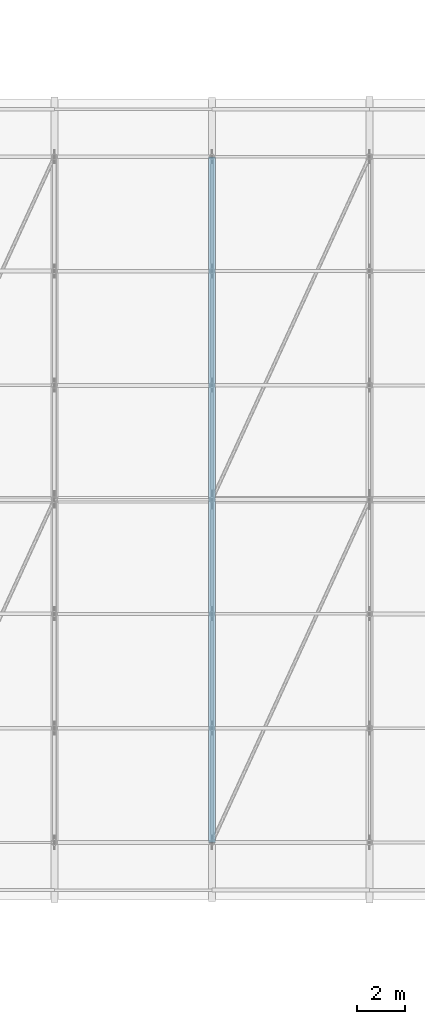
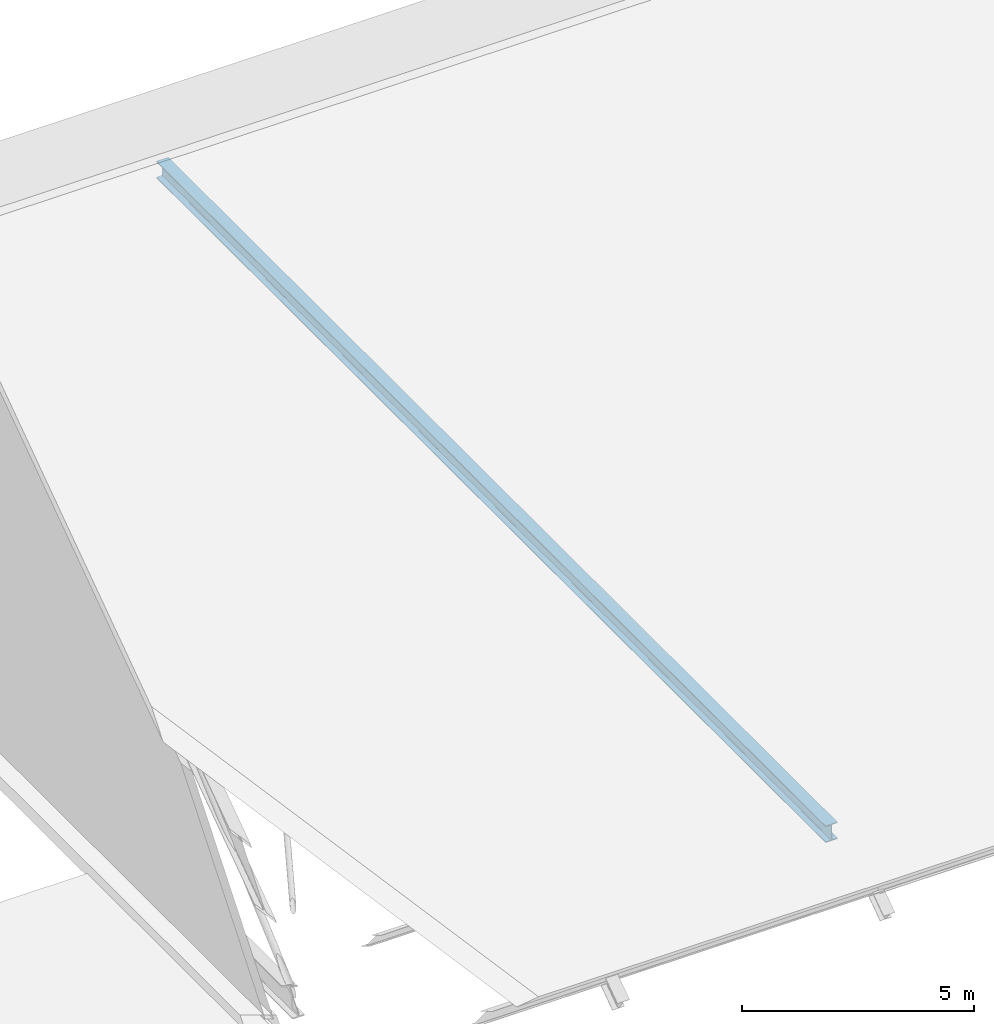
# One storey, part 54 of 134: 1 member.
"""IFC4 building model written with IfcOpenShell, lengths in metres."""

from ifc_helpers import new_model, si_unit, direction, frame, origin, origin_2d, place, context, subcontext, project, spatial, i_section, extrude, material, material_profile, profile_set, type_object, element, save


model = new_model("IFC4")

# Units and contexts
model_context = context("Model", 3, precision=1e-05, world=origin(), true_north=direction((0.0, 1.0)))
body_context = subcontext(model_context, "Body", "Model", "MODEL_VIEW")
ifc_project = project(units=[si_unit("LENGTHUNIT", "METRE"), si_unit("AREAUNIT", "SQUARE_METRE"), si_unit("VOLUMEUNIT", "CUBIC_METRE"), si_unit("PLANEANGLEUNIT", "RADIAN"), si_unit("MASSUNIT", "GRAM", prefix="KILO")], contexts=[model_context])

# Site, building, storey
site_placement = place(None, origin())
site = spatial("IfcSite", under=ifc_project, at=site_placement, CompositionType="ELEMENT")
building_placement = place(site_placement, origin())
building = spatial("IfcBuilding", under=site, at=building_placement, Name="Asteropetra Specialist Clinic", CompositionType="ELEMENT")
storey_placement = place(building_placement, frame((0.0, 0.0, 8.5)))
storey = spatial("IfcBuildingStorey", under=building, at=storey_placement, Name="L02", CompositionType="ELEMENT", Elevation=8.5)

# Member
ifc_material = material(Name="Steel S355", Category="steel")
ifc_material_profile = material_profile(ifc_material, i_section(OverallWidth=0.300048828125, OverallDepth=0.43994140625, WebThickness=0.011474609375, FlangeThickness=0.02099609375, FilletRadius=0.027099609375, at=origin_2d()), Name="HEA 450")
ifc_profile_set = profile_set([ifc_material_profile], Name="Steel S355")
member_type = type_object("IfcMemberType", Name="TR-CHD-HEA450", PredefinedType="CHORD", material=ifc_profile_set)
member_placement = place(storey_placement, frame((100.139892578125, 76.800048828125, 0.419921875), z_axis=(0.0, 1.0, 0.0), x_axis=(-1.0, 0.0, 0.0)))
element("IfcMember", 1, at=member_placement, inside=storey, type_object=member_type, Name="Truss Bottom Chord TRV1-BC03", PredefinedType="CHORD", context=body_context, shape_type="SweptSolid", body=[
    extrude(i_section(OverallWidth=0.300048828125, OverallDepth=0.43994140625, WebThickness=0.011474609375, FlangeThickness=0.02099609375, FilletRadius=0.027099609375, at=origin_2d()), origin(), (0.0, 0.0, 1.0), 28.800048828125),
])

save(model, "model.ifc")
